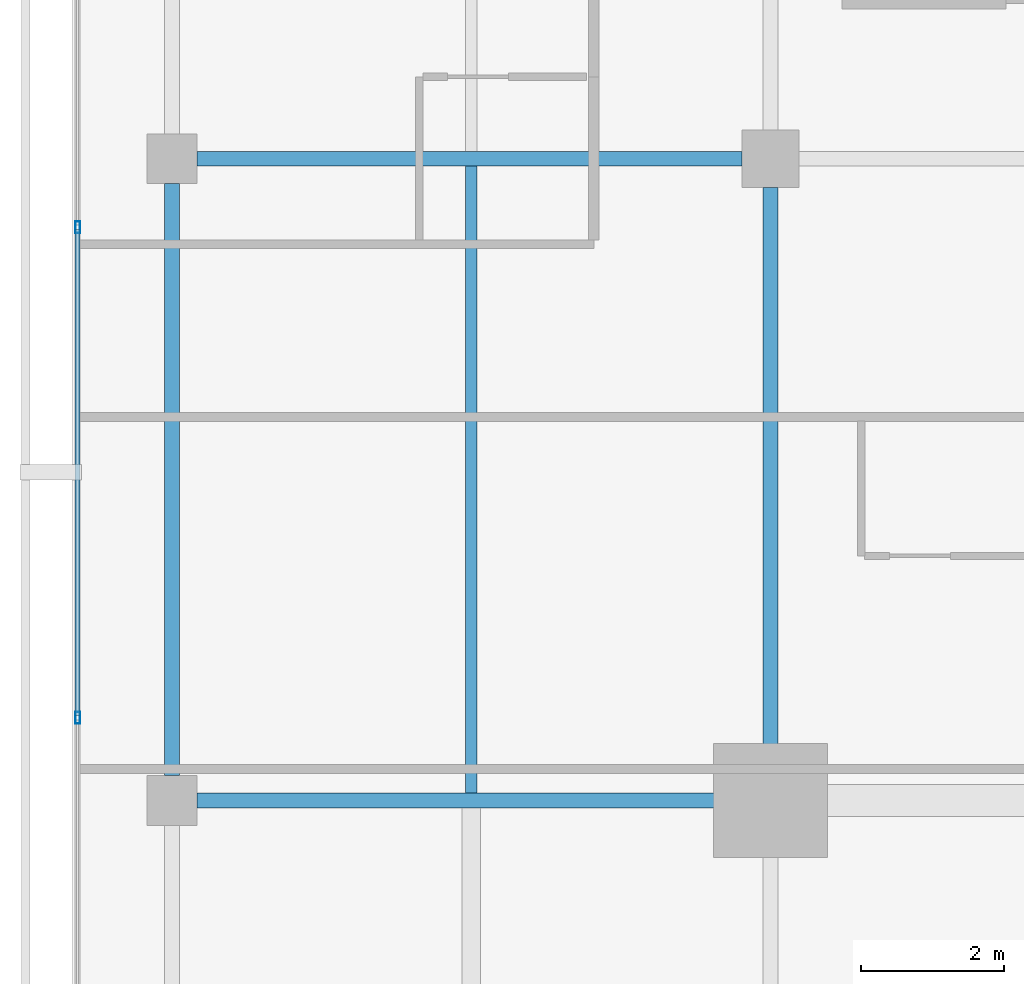
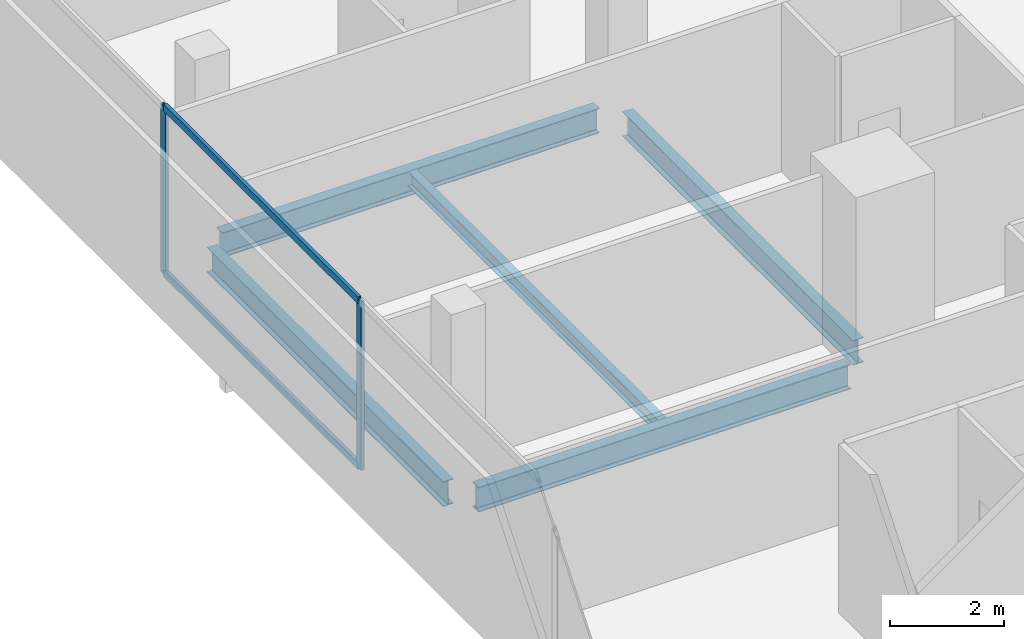
# One storey, part 8 of 26: 5 beams, 4 members, 1 element without a shape of its own.
"""IFC4 building model written with IfcOpenShell, lengths in metres."""

from ifc_helpers import new_model, si_unit, direction, frame, origin, origin_2d, place, context, subcontext, project, spatial, hollow_rectangle, i_section, extrude, material, layer, layer_set, material_profile, profile_set, type_object, element, aggregate, save


model = new_model("IFC4")

# Units and contexts
model_context = context("Model", 3, precision=1e-05, world=origin(), true_north=direction((0.0, 1.0)))
body_context = subcontext(model_context, "Body", "Model", "MODEL_VIEW")
ifc_project = project(units=[si_unit("LENGTHUNIT", "METRE"), si_unit("AREAUNIT", "SQUARE_METRE"), si_unit("VOLUMEUNIT", "CUBIC_METRE"), si_unit("PLANEANGLEUNIT", "RADIAN"), si_unit("MASSUNIT", "GRAM", prefix="KILO")], contexts=[model_context])

# Site, building, storey
site_placement = place(None, origin())
site = spatial("IfcSite", under=ifc_project, at=site_placement, CompositionType="ELEMENT")
building_placement = place(site_placement, origin())
building = spatial("IfcBuilding", under=site, at=building_placement, Name="Maruvema Waterfront Hotel and Observation Tower", CompositionType="ELEMENT")
storey_placement = place(building_placement, frame((0.0, 0.0, 254.800048828125)))
storey = spatial("IfcBuildingStorey", under=building, at=storey_placement, Name="L62", CompositionType="ELEMENT", Elevation=254.800048828125)

# Curtain wall, members
ifc_material_1 = material(Name="Anodised bronze aluminium and solar-control low-E IGU", Category="aluminium")
ifc_layer = layer(ifc_material_1, 0.159912109375, Name="Zone 3 Champagne Inner Thermal Curtain Wall System CW-04")
ifc_layer_set = layer_set([ifc_layer], Name="Anodised bronze aluminium and solar-control low-E IGU")
curtain_wall_type = type_object("IfcCurtainWallType", Name="Zone 3 Champagne Inner Thermal Curtain Wall System CW-04", PredefinedType="USERDEFINED", material=ifc_layer_set)
curtain_wall_placement = place(storey_placement, origin())
curtain_wall = element("IfcCurtainWall", 1, at=curtain_wall_placement, inside=storey, type_object=curtain_wall_type, Name="L62 Curtain Wall CW-L62-W", ObjectType="UNITISED CURTAIN WALL", PredefinedType="USERDEFINED")
ifc_material_2 = material(Name="Anodised architectural bronze aluminium", Category="aluminium")
ifc_material_profile_1 = material_profile(ifc_material_2, hollow_rectangle(XDim=0.070068359375, YDim=0.14990234375, WallThickness=0.00390625, at=origin_2d()), Name="ALU-T70x150")
ifc_profile_set_1 = profile_set([ifc_material_profile_1], Name="Anodised architectural bronze aluminium")
member_type_1 = type_object("IfcMemberType", Name="Curtain Wall Horizontal Transom ALU-T70x150", PredefinedType="USERDEFINED", material=ifc_profile_set_1)
member_1_placement = place(storey_placement, frame((15.47998046875, 35.010009765625, 0.030029296875), z_axis=(0.0, -1.0, 0.0), x_axis=(1.0, 0.0, 0.0)))
member_1 = element("IfcMember", 2, at=member_1_placement, type_object=member_type_1, Name="CW-04 transom 3.1", ObjectType="TRANSOM", PredefinedType="USERDEFINED", context=body_context, shape_type="SweptSolid", body=[
    extrude(hollow_rectangle(XDim=0.070068359375, YDim=0.14990234375, WallThickness=0.00390625, at=origin_2d()), origin(), (0.0, 0.0, 1.0), 6.820068359375),
])
member_2_placement = place(storey_placement, frame((15.47998046875, 35.010009765625, 3.579833984375), z_axis=(0.0, -1.0, 0.0), x_axis=(1.0, 0.0, 0.0)))
member_2 = element("IfcMember", 3, at=member_2_placement, type_object=member_type_1, Name="CW-04 transom 3.2", ObjectType="TRANSOM", PredefinedType="USERDEFINED", context=body_context, shape_type="SweptSolid", body=[
    extrude(hollow_rectangle(XDim=0.070068359375, YDim=0.14990234375, WallThickness=0.00390625, at=origin_2d()), origin(), (0.0, 0.0, 1.0), 6.820068359375),
])
ifc_material_3 = material(Name="Anodised architectural bronze aluminium", Category="aluminium")
ifc_material_profile_2 = material_profile(ifc_material_3, hollow_rectangle(XDim=0.06494140625, YDim=0.1650390625, WallThickness=0.00390625, at=origin_2d()), Name="ALU-M65x165")
ifc_profile_set_2 = profile_set([ifc_material_profile_2], Name="Anodised architectural bronze aluminium")
member_type_2 = type_object("IfcMemberType", Name="Curtain Wall Primary Mullion ALU-M65x165", PredefinedType="MULLION", material=ifc_profile_set_2)
member_3_placement = place(storey_placement, frame((15.47998046875, 35.0400390625, 0.0), z_axis=(0.0, 0.0, 1.0), x_axis=(1.0, 0.0, 0.0)))
member_3 = element("IfcMember", 4, at=member_3_placement, type_object=member_type_2, Name="CW-04 mullion 3", PredefinedType="MULLION", context=body_context, shape_type="SweptSolid", body=[
    extrude(hollow_rectangle(XDim=0.06494140625, YDim=0.1650390625, WallThickness=0.00390625, at=origin_2d()), origin(), (0.0, 0.0, 1.0), 3.60986328125),
])
member_4_placement = place(storey_placement, frame((15.47998046875, 28.159912109375, 0.0), z_axis=(0.0, 0.0, 1.0), x_axis=(1.0, 0.0, 0.0)))
member_4 = element("IfcMember", 5, at=member_4_placement, type_object=member_type_2, Name="CW-04 mullion 4", PredefinedType="MULLION", context=body_context, shape_type="SweptSolid", body=[
    extrude(hollow_rectangle(XDim=0.06494140625, YDim=0.1650390625, WallThickness=0.00390625, at=origin_2d()), origin(), (0.0, 0.0, 1.0), 3.60986328125),
])
aggregate(curtain_wall, [member_3, member_4, member_1, member_2])

# Beams
ifc_material_4 = material(Name="Steel ASTM A572 Grade 50", Category="steel")
ifc_material_profile_3 = material_profile(ifc_material_4, i_section(OverallWidth=0.208984375, OverallDepth=0.532958984375, WebThickness=0.01025390625, FlangeThickness=0.015625, FilletRadius=0.014892578125, at=origin_2d()), Name="W530x92.0")
ifc_profile_set_3 = profile_set([ifc_material_profile_3], Name="Steel ASTM A572 Grade 50")
beam_type_1 = type_object("IfcBeamType", Name="Primary Floor Girder W530x92.0", PredefinedType="BEAM", material=ifc_profile_set_3)
beam_1_placement = place(storey_placement, frame((17.14990234375, 27.0, -0.506591796875), z_axis=(1.0, 0.0, 0.0), x_axis=(0.0, 1.0, 0.0)))
element("IfcBeam", 6, at=beam_1_placement, inside=storey, type_object=beam_type_1, Name="L62 Floor Girder EW-09", PredefinedType="BEAM", context=body_context, shape_type="SweptSolid", body=[
    extrude(i_section(OverallWidth=0.208984375, OverallDepth=0.532958984375, WebThickness=0.01025390625, FlangeThickness=0.015625, FilletRadius=0.014892578125, at=origin_2d()), origin(), (0.0, 0.0, 1.0), 7.550048828125),
])
beam_2_placement = place(storey_placement, frame((17.14990234375, 36.0, -0.506591796875), z_axis=(1.0, 0.0, 0.0), x_axis=(0.0, 1.0, 0.0)))
element("IfcBeam", 7, at=beam_2_placement, inside=storey, type_object=beam_type_1, Name="L62 Floor Girder EW-12", PredefinedType="BEAM", context=body_context, shape_type="SweptSolid", body=[
    extrude(i_section(OverallWidth=0.208984375, OverallDepth=0.532958984375, WebThickness=0.01025390625, FlangeThickness=0.015625, FilletRadius=0.014892578125, at=origin_2d()), origin(), (0.0, 0.0, 1.0), 7.650146484375),
])
beam_3_placement = place(storey_placement, frame((16.800048828125, 27.35009765625, -0.506591796875), z_axis=(0.0, 1.0, 0.0), x_axis=(-1.0, 0.0, 0.0)))
element("IfcBeam", 8, at=beam_3_placement, inside=storey, type_object=beam_type_1, Name="L62 Floor Girder NS-02", PredefinedType="BEAM", context=body_context, shape_type="SweptSolid", body=[
    extrude(i_section(OverallWidth=0.208984375, OverallDepth=0.532958984375, WebThickness=0.01025390625, FlangeThickness=0.015625, FilletRadius=0.014892578125, at=origin_2d()), origin(), (0.0, 0.0, 1.0), 8.2998046875),
])
beam_4_placement = place(storey_placement, frame((25.199951171875, 27.5, -0.506591796875), z_axis=(0.0, 1.0, 0.0), x_axis=(-1.0, 0.0, 0.0)))
element("IfcBeam", 9, at=beam_4_placement, inside=storey, type_object=beam_type_1, Name="L62 Floor Girder NS-06", PredefinedType="BEAM", context=body_context, shape_type="SweptSolid", body=[
    extrude(i_section(OverallWidth=0.208984375, OverallDepth=0.532958984375, WebThickness=0.01025390625, FlangeThickness=0.015625, FilletRadius=0.014892578125, at=origin_2d()), origin(), (0.0, 0.0, 1.0), 8.10009765625),
])
ifc_material_5 = material(Name="Steel ASTM A572 Grade 50", Category="steel")
ifc_material_profile_4 = material_profile(ifc_material_5, i_section(OverallWidth=0.1669921875, OverallDepth=0.31689453125, WebThickness=0.007568359375, FlangeThickness=0.01318359375, FilletRadius=0.012939453125, at=origin_2d()), Name="W310x52.0")
ifc_profile_set_4 = profile_set([ifc_material_profile_4], Name="Steel ASTM A572 Grade 50")
beam_type_2 = type_object("IfcBeamType", Name="Secondary Floor Joist W310x52.0", PredefinedType="JOIST", material=ifc_profile_set_4)
beam_5_placement = place(storey_placement, frame((21.0, 27.1044921875, -0.3984375), z_axis=(0.0, 1.0, 0.0), x_axis=(-1.0, 0.0, 0.0)))
element("IfcBeam", 10, at=beam_5_placement, inside=storey, type_object=beam_type_2, Name="L62 Secondary Floor Joist JS-02", PredefinedType="JOIST", context=body_context, shape_type="SweptSolid", body=[
    extrude(i_section(OverallWidth=0.1669921875, OverallDepth=0.31689453125, WebThickness=0.007568359375, FlangeThickness=0.01318359375, FilletRadius=0.012939453125, at=origin_2d()), origin(), (0.0, 0.0, 1.0), 8.791015625),
])

save(model, "model.ifc")
